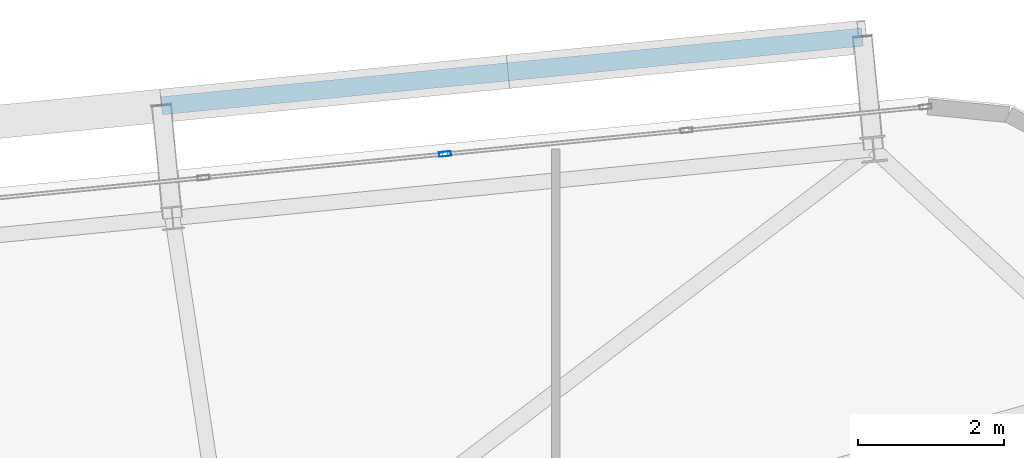
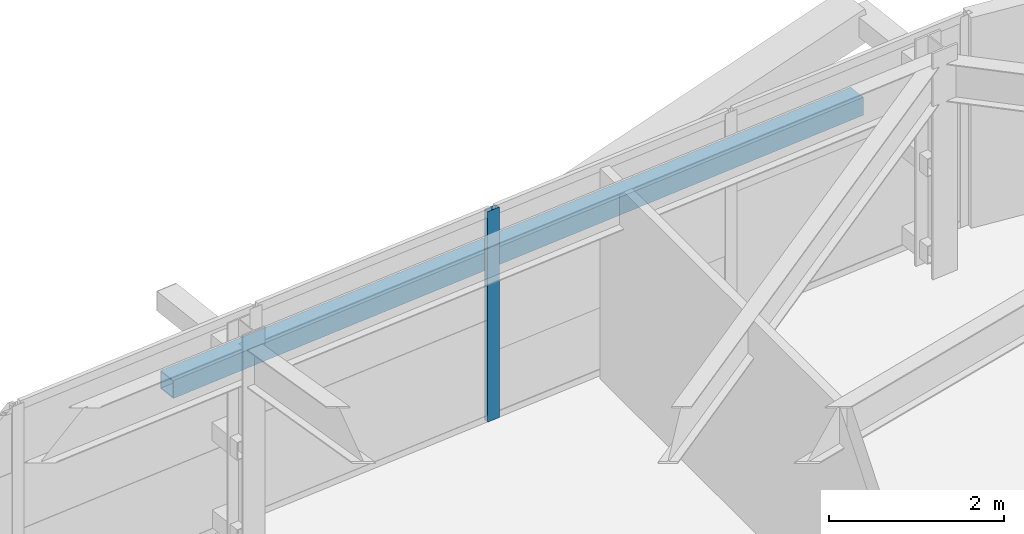
# One storey, part 33 of 54: 2 members, 1 element without a shape of its own.
"""IFC4 building model written with IfcOpenShell, lengths in metres."""

import ifcopenshell
import ifcopenshell.guid

model = None  # the IFC model being written
_history = None  # IfcOwnerHistory: only IFC2X3 demands one
_inside = {}  # id of a spatial element -> (the spatial element, [elements in it])
_under = {}  # id of a project, library or spatial element -> (it, [spatial elements below it])
_declared = {}  # id of a project -> (the project, [libraries it declares])
_typed = {}  # id of a type object -> (the type object, [elements of that type])
_made_of = {}  # id of a material, layer set ... -> (it, [elements and type objects made of it])


def new_model(schema):
    """Start an empty IFC model of exactly this schema.

    Asked for "IFC4X3", IfcOpenShell would pick the latest addendum, in which some entities
    have other attributes; the version numbers below select the first issue.
    IFC2X3 requires an IfcOwnerHistory on every rooted entity: one is made here for all.
    """
    global model, _history
    if schema == "IFC4X3":
        model = ifcopenshell.file(schema_version=(4, 3, 0, 0))
    else:
        model = ifcopenshell.file(schema=schema)
    _inside.clear()
    _under.clear()
    _declared.clear()
    _typed.clear()
    _made_of.clear()
    _history = None
    if model.schema == "IFC2X3":
        org = make("IfcOrganization", Name="unknown")
        user = make(
            "IfcPersonAndOrganization",
            ThePerson=make("IfcPerson", FamilyName="unknown"),
            TheOrganization=org,
        )
        app = make(
            "IfcApplication",
            ApplicationDeveloper=org,
            Version="unknown",
            ApplicationFullName="unknown",
            ApplicationIdentifier="unknown",
        )
        _history = make(
            "IfcOwnerHistory",
            OwningUser=user,
            OwningApplication=app,
            ChangeAction="ADDED",
            CreationDate=0,
        )
    return model


def make(cls, **values):
    """One entity of the class cls with the attributes given. An attribute that is None is left unset."""
    return model.create_entity(
        cls, **{name: value for name, value in values.items() if value is not None}
    )


def rooted(cls, **values):
    """An entity with a GlobalId (a new one), such as an element, a storey or a relation."""
    return make(cls, GlobalId=ifcopenshell.guid.new(), OwnerHistory=_history, **values)


def si_unit(unit_type, name, prefix=None):
    """IfcSIUnit, for example si_unit("LENGTHUNIT", "METRE", prefix="MILLI")."""
    return make("IfcSIUnit", UnitType=unit_type, Prefix=prefix, Name=name)


def assignment(units):
    """IfcUnitAssignment: the units of a project."""
    return None if units is None else make("IfcUnitAssignment", Units=units)


def point(xyz):
    """IfcCartesianPoint."""
    return None if xyz is None else make("IfcCartesianPoint", Coordinates=xyz)


def direction(xyz):
    """IfcDirection."""
    return None if xyz is None else make("IfcDirection", DirectionRatios=xyz)


def frame(location, z_axis=None, x_axis=None):
    """IfcAxis2Placement3D, a coordinate frame: its origin and axes. An axis left out is left unset."""
    return make(
        "IfcAxis2Placement3D",
        Location=point(location),
        Axis=direction(z_axis),
        RefDirection=direction(x_axis),
    )


def frame_2d(location, x_axis=None):
    """IfcAxis2Placement2D, a coordinate frame in the plane: its origin and x axis."""
    return make(
        "IfcAxis2Placement2D", Location=point(location), RefDirection=direction(x_axis)
    )


def origin():
    """The frame at (0, 0, 0) with its axes left unset."""
    return frame((0.0, 0.0, 0.0))


def origin_2d():
    """The frame at (0, 0) in the plane with its x axis left unset."""
    return frame_2d((0.0, 0.0))


def place(relative_to, where):
    """IfcLocalPlacement: puts the frame where relative to a parent placement (None: the world)."""
    return make(
        "IfcLocalPlacement", PlacementRelTo=relative_to, RelativePlacement=where
    )


def context(
    kind, dimensions, precision=None, world=None, true_north=None, identifier=None
):
    """IfcGeometricRepresentationContext, for example the 3D "Model" context."""
    return make(
        "IfcGeometricRepresentationContext",
        ContextIdentifier=identifier,
        ContextType=kind,
        CoordinateSpaceDimension=dimensions,
        Precision=precision,
        WorldCoordinateSystem=world,
        TrueNorth=true_north,
    )


def subcontext(parent, identifier, kind, view, scale=None):
    """IfcGeometricRepresentationSubContext, for example "Body" below "Model"."""
    return make(
        "IfcGeometricRepresentationSubContext",
        ContextIdentifier=identifier,
        ContextType=kind,
        ParentContext=parent,
        TargetScale=scale,
        TargetView=view,
    )


def project(units=None, contexts=None):
    """IfcProject with its units and contexts."""
    return rooted(
        "IfcProject",
        Name="project",
        RepresentationContexts=contexts,
        UnitsInContext=assignment(units),
    )


def spatial(cls, under=None, at=None, **own):
    """A site, building, storey or space (cls), placed at a placement, below another one or the project."""
    s = rooted(cls, ObjectPlacement=at, **own)
    if under is not None:
        _under.setdefault(under.id(), (under, []))[1].append(s)
    return s


def profile(cls, at=None, kind="AREA", **sizes):
    """A parametric profile (cls). Its sizes go by their IFC names, for example OverallWidth=200.0."""
    return make(cls, ProfileType=kind, Position=at, **sizes)


def hollow_rectangle(**sizes):
    """IfcRectangleHollowProfileDef."""
    return profile("IfcRectangleHollowProfileDef", **sizes)


def extrude(swept, where, along, depth):
    """IfcExtrudedAreaSolid: the profile swept, set in the frame where, extruded along a direction by depth."""
    return make(
        "IfcExtrudedAreaSolid",
        SweptArea=swept,
        Position=where,
        ExtrudedDirection=direction(along),
        Depth=depth,
    )


def shape(context_of_items, identifier, shape_type, items):
    """IfcShapeRepresentation: the items that make up one representation, for example the "Body"."""
    return make(
        "IfcShapeRepresentation",
        ContextOfItems=context_of_items,
        RepresentationIdentifier=identifier,
        RepresentationType=shape_type,
        Items=items,
    )


def source(mapping_origin, context_of_items, identifier, shape_type, items):
    """IfcRepresentationMap: a shape defined once, which mapped items show again and again."""
    return make(
        "IfcRepresentationMap",
        MappingOrigin=mapping_origin,
        MappedRepresentation=shape(context_of_items, identifier, shape_type, items),
    )


def transform(
    local_origin,
    x_axis=None,
    y_axis=None,
    z_axis=None,
    scale=None,
    scale2=None,
    scale3=None,
    uniform=True,
):
    """IfcCartesianTransformationOperator3D, or its non-uniform kind. x_axis, y_axis, z_axis: its Axis1, 2, 3."""
    if uniform:
        return make(
            "IfcCartesianTransformationOperator3D",
            Axis1=direction(x_axis),
            Axis2=direction(y_axis),
            LocalOrigin=point(local_origin),
            Scale=scale,
            Axis3=direction(z_axis),
        )
    return make(
        "IfcCartesianTransformationOperator3DnonUniform",
        Axis1=direction(x_axis),
        Axis2=direction(y_axis),
        LocalOrigin=point(local_origin),
        Scale=scale,
        Axis3=direction(z_axis),
        Scale2=scale2,
        Scale3=scale3,
    )


def mapped(mapping_source, mapping_target):
    """IfcMappedItem: shows the shape of a source again, moved by a transform."""
    return make(
        "IfcMappedItem", MappingSource=mapping_source, MappingTarget=mapping_target
    )


def material(Name=None, Category=None):
    """IfcMaterial."""
    return make("IfcMaterial", Name=Name, Category=Category)


def layer(
    of_material, thickness, ventilated=None, Name=None, Category=None, Priority=None
):
    """IfcMaterialLayer: one layer of a wall or slab, of a material (None: an air gap)."""
    return make(
        "IfcMaterialLayer",
        Material=of_material,
        LayerThickness=thickness,
        IsVentilated=ventilated,
        Name=Name,
        Category=Category,
        Priority=Priority,
    )


def layer_set(layers, Name=None):
    """IfcMaterialLayerSet."""
    return make("IfcMaterialLayerSet", MaterialLayers=layers, LayerSetName=Name)


def material_profile(
    of_material, cross_section, Name=None, Category=None, Priority=None
):
    """IfcMaterialProfile: a cross section and its material."""
    return make(
        "IfcMaterialProfile",
        Name=Name,
        Material=of_material,
        Profile=cross_section,
        Priority=Priority,
        Category=Category,
    )


def profile_set(profiles, Name=None, composite=None):
    """IfcMaterialProfileSet."""
    return make(
        "IfcMaterialProfileSet",
        Name=Name,
        MaterialProfiles=profiles,
        CompositeProfile=composite,
    )


def made_of(thing, what):
    """Note that an element or type object is made of a material, layer set ...; save() writes the relation."""
    if what is not None:
        _made_of.setdefault(what.id(), (what, []))[1].append(thing)
    return thing


def type_object(cls, material=None, **own):
    """A type object (cls), such as IfcWallType, which elements share."""
    return made_of(rooted(cls, **own), material)


def element(
    cls,
    number,
    at=None,
    inside=None,
    cuts=None,
    type_object=None,
    material=None,
    context=None,
    identifier="Body",
    shape_type=None,
    held_by="IfcProductDefinitionShape",
    body=None,
    shapes=None,
    **own,
):
    """One element of the class cls, such as IfcWall. Its Tag is "e" and its number.

    at: its placement. inside: the storey or other place that contains it. cuts: it is an
    opening in that element (IfcRelVoidsElement). A single representation is given by context,
    identifier, shape_type and body (its items); several are given by shapes. held_by: the class
    of the entity that holds the representations. save() writes the other relations.
    """
    e = rooted(cls, Tag="e%d" % number, ObjectPlacement=at, **own)
    if body is not None:
        shapes = [shape(context, identifier, shape_type, body)]
    if shapes is not None:
        e.Representation = make(held_by, Representations=shapes)
    if inside is not None:
        _inside.setdefault(inside.id(), (inside, []))[1].append(e)
    if cuts is not None:
        rooted(
            "IfcRelVoidsElement", RelatingBuildingElement=cuts, RelatedOpeningElement=e
        )
    if type_object is not None:
        _typed.setdefault(type_object.id(), (type_object, []))[1].append(e)
    return made_of(e, material)


def aggregate(whole, parts):
    """IfcRelAggregates: a whole, such as a stair, and the parts it consists of."""
    return rooted("IfcRelAggregates", RelatingObject=whole, RelatedObjects=parts)


def save(model, path):
    """Write the relations noted so far, then the file.

    IfcRelAggregates (storeys below a building ...), IfcRelContainedInSpatialStructure (elements
    in a storey), IfcRelDefinesByType, IfcRelAssociatesMaterial and IfcRelDeclares: one each for
    every whole, place, type object, material and project.
    """
    for whole, parts in _under.values():
        aggregate(whole, parts)
    for where, things in _inside.values():
        rooted(
            "IfcRelContainedInSpatialStructure",
            RelatedElements=things,
            RelatingStructure=where,
        )
    for kind, things in _typed.values():
        rooted("IfcRelDefinesByType", RelatedObjects=things, RelatingType=kind)
    for what, things in _made_of.values():
        rooted("IfcRelAssociatesMaterial", RelatedObjects=things, RelatingMaterial=what)
    for by, libraries in _declared.values():
        rooted("IfcRelDeclares", RelatingContext=by, RelatedDefinitions=libraries)
    model.write(path)


model = new_model("IFC4")

# Units and contexts
model_context = context("Model", 3, precision=1e-05, world=origin(), true_north=direction((0.0, 1.0)))
body_context = subcontext(model_context, "Body", "Model", "MODEL_VIEW")
ifc_project = project(units=[si_unit("LENGTHUNIT", "METRE"), si_unit("AREAUNIT", "SQUARE_METRE"), si_unit("VOLUMEUNIT", "CUBIC_METRE"), si_unit("PLANEANGLEUNIT", "RADIAN"), si_unit("MASSUNIT", "GRAM", prefix="KILO")], contexts=[model_context])

# Site, building, storey
site_placement = place(None, origin())
site = spatial("IfcSite", under=ifc_project, at=site_placement, CompositionType="ELEMENT")
building_placement = place(site_placement, origin())
building = spatial("IfcBuilding", under=site, at=building_placement, Name="Taldren Reach Tower", CompositionType="ELEMENT")
storey_placement = place(building_placement, frame((0.0, 0.0, 99.75)))
storey = spatial("IfcBuildingStorey", under=building, at=storey_placement, Name="L30", CompositionType="ELEMENT", Elevation=99.75)

# Member
ifc_material_1 = material(Name="Steel Gr 350 (C350L0)", Category="steel")
ifc_material_profile_1 = material_profile(ifc_material_1, hollow_rectangle(XDim=0.25, YDim=0.25, WallThickness=0.010009765625, at=origin_2d()), Name="250x250x10.0SHS")
ifc_profile_set_1 = profile_set([ifc_material_profile_1], Name="Steel Gr 350 (C350L0)")
member_type_1 = type_object("IfcMemberType", Name="MB-POST250", PredefinedType="POST", material=ifc_profile_set_1)
shared_shape_1 = source(origin(), body_context, "Body", "SweptSolid", [
    extrude(hollow_rectangle(XDim=0.25, YDim=0.25, WallThickness=0.010009765625, at=origin_2d()), origin(), (0.0, 0.0, 1.0), 9.679931640625),
])
member_1_placement = place(storey_placement, frame((49.980712890625, 39.27783203125, 1.43505859375), z_axis=(0.995227612658, 0.097580730699, 0.0), x_axis=(-0.097580730699, 0.995227612658, 0.0)))
element("IfcMember", 1, at=member_1_placement, inside=storey, type_object=member_type_1, Name="Exoskeleton mid-height ring chord B2-N5 L30", PredefinedType="POST", context=body_context, shape_type="MappedRepresentation", body=[
    mapped(shared_shape_1, transform((0.0, 0.0, 0.0), scale=1.0)),
])

# Curtain wall, member
ifc_material_2 = material(Name="Aluminium and Low-E Glass Unitised System", Category="aluminium")
ifc_layer = layer(ifc_material_2, 0.159912109375)
ifc_layer_set = layer_set([ifc_layer], Name="Aluminium and Low-E Glass Unitised System")
curtain_wall_type = type_object("IfcCurtainWallType", Name="CW-SYS-3", PredefinedType="NOTDEFINED", material=ifc_layer_set)
curtain_wall_placement = place(storey_placement, origin())
curtain_wall = element("IfcCurtainWall", 2, at=curtain_wall_placement, inside=storey, type_object=curtain_wall_type, Name="Unitised curtain wall CW-L30-N", PredefinedType="NOTDEFINED")
ifc_material_3 = material(Name="Anodised Aluminium 6063-T6", Category="aluminium")
ifc_material_profile_2 = material_profile(ifc_material_3, hollow_rectangle(XDim=0.06494140625, YDim=0.1650390625, WallThickness=0.00390625, at=origin_2d()), Name="ALU-165x65x4RHS")
ifc_profile_set_2 = profile_set([ifc_material_profile_2], Name="Anodised Aluminium 6063-T6")
member_type_2 = type_object("IfcMemberType", Name="CW-MUL-165", PredefinedType="MULLION", material=ifc_profile_set_2)
shared_shape_2 = source(origin(), body_context, "Body", "SweptSolid", [
    extrude(hollow_rectangle(XDim=0.06494140625, YDim=0.1650390625, WallThickness=0.00390625, at=origin_2d()), origin(), (0.0, 0.0, 1.0), 2.929931640625),
])
member_2_placement = place(storey_placement, frame((53.87744140625, 38.614990234375, 0.0), z_axis=(0.0, 0.0, 1.0), x_axis=(0.097582999046, -0.995227390247, 0.0)))
member_2 = element("IfcMember", 3, at=member_2_placement, type_object=member_type_2, Name="CW-3 mullion 3", PredefinedType="MULLION", context=body_context, shape_type="MappedRepresentation", body=[
    mapped(shared_shape_2, transform((0.0, 0.0, 0.0), scale=1.0)),
])
aggregate(curtain_wall, [member_2])

save(model, "model.ifc")
